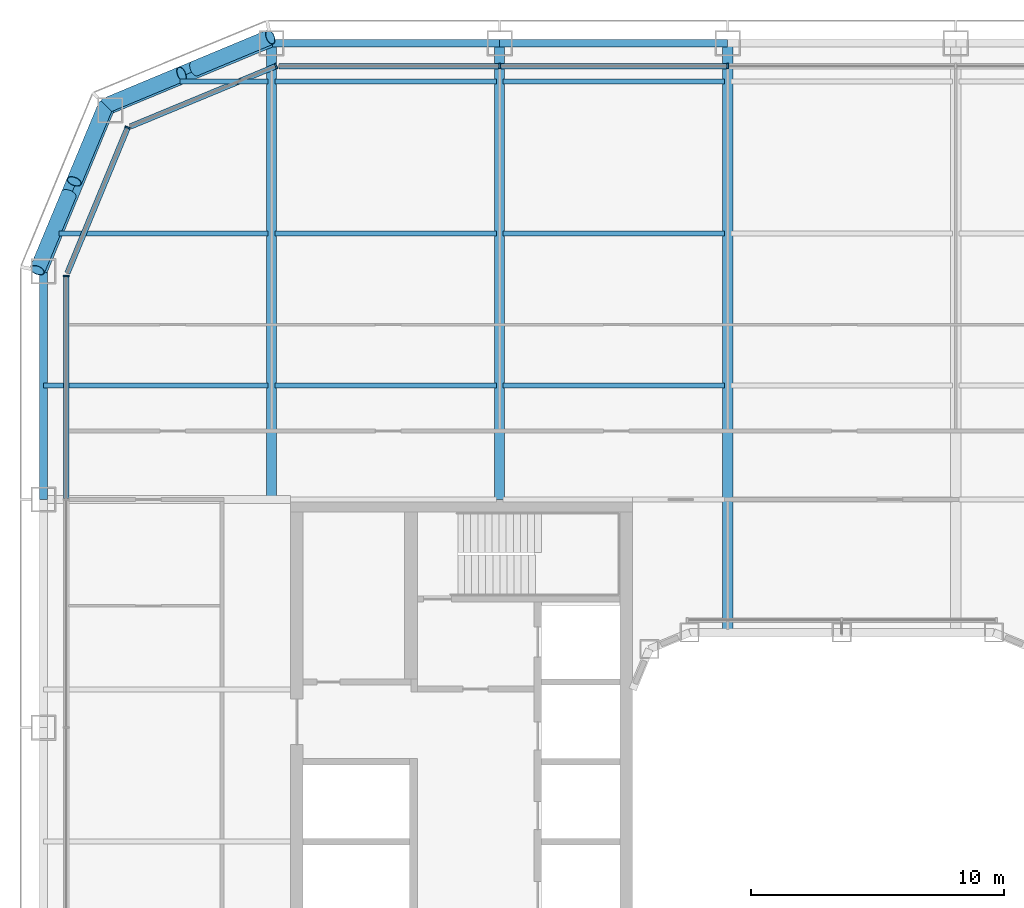
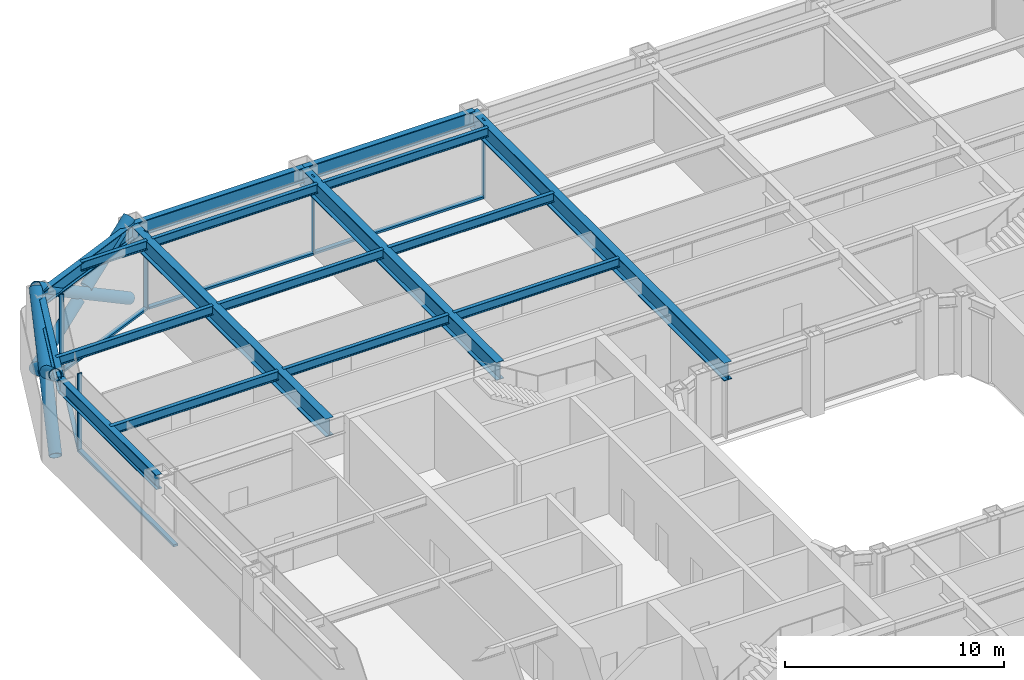
# One storey, part 7 of 24: 17 beams, 16 members, 4 elements without a shape of their own.
"""IFC4 building model written with IfcOpenShell, lengths in metres."""

from ifc_helpers import new_model, si_unit, direction, frame, origin, origin_2d, place, context, subcontext, project, spatial, rectangle, hollow_circle, i_section, extrude, material, layer, layer_set, material_profile, profile_set, type_object, element, aggregate, save


model = new_model("IFC4")

# Units and contexts
model_context = context("Model", 3, precision=1e-05, world=origin(), true_north=direction((0.0, 1.0)))
body_context = subcontext(model_context, "Body", "Model", "MODEL_VIEW")
ifc_project = project(units=[si_unit("LENGTHUNIT", "METRE"), si_unit("AREAUNIT", "SQUARE_METRE"), si_unit("VOLUMEUNIT", "CUBIC_METRE"), si_unit("PLANEANGLEUNIT", "RADIAN"), si_unit("MASSUNIT", "GRAM", prefix="KILO")], contexts=[model_context])

# Site, building, storey
site_placement = place(None, origin())
site = spatial("IfcSite", under=ifc_project, at=site_placement, CompositionType="ELEMENT")
building_placement = place(site_placement, origin())
building = spatial("IfcBuilding", under=site, at=building_placement, Name="Siwar Civic Tower", CompositionType="ELEMENT")
storey_placement = place(building_placement, frame((0.0, 0.0, 76.199951171875)))
storey = spatial("IfcBuildingStorey", under=building, at=storey_placement, Name="L16", CompositionType="ELEMENT", Elevation=76.199951171875)

# Curtain wall, members
ifc_material_1 = material(Name="Aluminium and glass", Category="aluminium")
ifc_layer_1 = layer(ifc_material_1, 0.219970703125)
ifc_layer_set_1 = layer_set([ifc_layer_1], Name="Aluminium and glass")
curtain_wall_type_1 = type_object("IfcCurtainWallType", Name="ENV-CW-A", PredefinedType="NOTDEFINED", material=ifc_layer_set_1)
curtain_wall_1_placement = place(storey_placement, origin())
curtain_wall_1 = element("IfcCurtainWall", 1, at=curtain_wall_1_placement, inside=storey, type_object=curtain_wall_type_1, Name="Curtain wall A N", PredefinedType="NOTDEFINED")
ifc_material_2 = material(Name="Aluminium 6063-T6", Category="aluminium")
ifc_material_profile_1 = material_profile(ifc_material_2, rectangle(XDim=0.219970703125, YDim=0.070068359375, at=origin_2d()), Name="AL 220x70")
ifc_profile_set_1 = profile_set([ifc_material_profile_1], Name="Aluminium 6063-T6")
member_type_1 = type_object("IfcMemberType", Name="ENV-MULLION-A", PredefinedType="MULLION", material=ifc_profile_set_1)
member_1_placement = place(storey_placement, frame((-4.5, 30.60009765625, 0.0), z_axis=(0.0, 0.0, 1.0), x_axis=(0.0, -1.0, 0.0)))
member_1 = element("IfcMember", 2, at=member_1_placement, type_object=member_type_1, Name="Mullion A N 4", PredefinedType="MULLION", context=body_context, shape_type="SweptSolid", body=[
    extrude(rectangle(XDim=0.219970703125, YDim=0.070068359375, at=origin_2d()), origin(), (0.0, 0.0, 1.0), 4.35009765625),
])
member_2_placement = place(storey_placement, frame((-13.5, 30.60009765625, 0.0), z_axis=(0.0, 0.0, 1.0), x_axis=(0.0, -1.0, 0.0)))
member_2 = element("IfcMember", 3, at=member_2_placement, type_object=member_type_1, Name="Mullion A N 5", PredefinedType="MULLION", context=body_context, shape_type="SweptSolid", body=[
    extrude(rectangle(XDim=0.219970703125, YDim=0.070068359375, at=origin_2d()), origin(), (0.0, 0.0, 1.0), 4.35009765625),
])

# Curtain wall, member
ifc_material_3 = material(Name="Aluminium clad insulated panel", Category="aluminium")
ifc_layer_2 = layer(ifc_material_3, 0.219970703125)
ifc_layer_set_2 = layer_set([ifc_layer_2], Name="Aluminium clad insulated panel")
curtain_wall_type_2 = type_object("IfcCurtainWallType", Name="ENV-CW-AX", PredefinedType="NOTDEFINED", material=ifc_layer_set_2)
curtain_wall_2_placement = place(storey_placement, origin())
curtain_wall_2 = element("IfcCurtainWall", 4, at=curtain_wall_2_placement, inside=storey, type_object=curtain_wall_type_2, Name="Curtain wall A NW1", PredefinedType="NOTDEFINED")
member_3_placement = place(storey_placement, frame((-22.321044921875, 30.60009765625, 0.0), z_axis=(0.0, 0.0, 1.0), x_axis=(0.382683432365, -0.923879532511, 0.0)))
member_3 = element("IfcMember", 5, at=member_3_placement, type_object=member_type_1, Name="Mullion A NW1 1", PredefinedType="MULLION", context=body_context, shape_type="SweptSolid", body=[
    extrude(rectangle(XDim=0.219970703125, YDim=0.070068359375, at=origin_2d()), origin(), (0.0, 0.0, 1.0), 4.35009765625),
])

curtain_wall_3_placement = place(storey_placement, origin())
curtain_wall_3 = element("IfcCurtainWall", 6, at=curtain_wall_3_placement, inside=storey, type_object=curtain_wall_type_2, Name="Curtain wall A NW2", PredefinedType="NOTDEFINED")
member_4_placement = place(storey_placement, frame((-28.175048828125, 28.175048828125, 0.0), z_axis=(0.0, 0.0, 1.0), x_axis=(0.923879532511, -0.382683432365, 0.0)))
member_4 = element("IfcMember", 7, at=member_4_placement, type_object=member_type_1, Name="Mullion A NW2 1", PredefinedType="MULLION", context=body_context, shape_type="SweptSolid", body=[
    extrude(rectangle(XDim=0.219970703125, YDim=0.070068359375, at=origin_2d()), origin(), (0.0, 0.0, 1.0), 4.35009765625),
])

curtain_wall_4_placement = place(storey_placement, origin())
curtain_wall_4 = element("IfcCurtainWall", 8, at=curtain_wall_4_placement, inside=storey, type_object=curtain_wall_type_1, Name="Curtain wall A W", PredefinedType="NOTDEFINED")
member_5_placement = place(storey_placement, frame((-30.60009765625, 22.321044921875, 0.0), z_axis=(0.0, 0.0, 1.0), x_axis=(1.0, 0.0, 0.0)))
member_5 = element("IfcMember", 9, at=member_5_placement, type_object=member_type_1, Name="Mullion A W 1", PredefinedType="MULLION", context=body_context, shape_type="SweptSolid", body=[
    extrude(rectangle(XDim=0.219970703125, YDim=0.070068359375, at=origin_2d()), origin(), (0.0, 0.0, 1.0), 4.35009765625),
])

# Member
ifc_material_4 = material(Name="Aluminium 6063-T6", Category="aluminium")
ifc_material_profile_2 = material_profile(ifc_material_4, rectangle(XDim=0.219970703125, YDim=0.1201171875, at=origin_2d()), Name="AL 220x120")
ifc_profile_set_2 = profile_set([ifc_material_profile_2], Name="Aluminium 6063-T6")
member_type_2 = type_object("IfcMemberType", Name="ENV-TRANSOM-A", PredefinedType="USERDEFINED", material=ifc_profile_set_2)
member_6_placement = place(storey_placement, frame((-4.534912109375, 30.60009765625, 0.06005859375), z_axis=(-1.0, 0.0, 0.0), x_axis=(0.0, -1.0, 0.0)))
member_6 = element("IfcMember", 10, at=member_6_placement, type_object=member_type_2, Name="Transom A N 4", ObjectType="TRANSOM", PredefinedType="USERDEFINED", context=body_context, shape_type="SweptSolid", body=[
    extrude(rectangle(XDim=0.219970703125, YDim=0.1201171875, at=origin_2d()), origin(), (0.0, 0.0, 1.0), 8.93017578125),
])

member_7_placement = place(storey_placement, frame((-13.534912109375, 30.60009765625, 0.06005859375), z_axis=(-1.0, 0.0, 0.0), x_axis=(0.0, -1.0, 0.0)))
member_7 = element("IfcMember", 11, at=member_7_placement, type_object=member_type_2, Name="Transom A N 5", ObjectType="TRANSOM", PredefinedType="USERDEFINED", context=body_context, shape_type="SweptSolid", body=[
    extrude(rectangle(XDim=0.219970703125, YDim=0.1201171875, at=origin_2d()), origin(), (0.0, 0.0, 1.0), 8.66357421875),
])

aggregate(curtain_wall_1, [member_1, member_2, member_6, member_7])

member_8_placement = place(storey_placement, frame((-22.353271484375, 30.586669921875, 0.06005859375), z_axis=(-0.923873326341, -0.382698415042, 0.0), x_axis=(0.382698415042, -0.923873326341, 0.0)))
member_8 = element("IfcMember", 12, at=member_8_placement, type_object=member_type_2, Name="Transom A NW1 1", ObjectType="TRANSOM", PredefinedType="USERDEFINED", context=body_context, shape_type="SweptSolid", body=[
    extrude(rectangle(XDim=0.219970703125, YDim=0.1201171875, at=origin_2d()), origin(), (0.0, 0.0, 1.0), 6.17919921875),
])

aggregate(curtain_wall_2, [member_3, member_8])

member_9_placement = place(storey_placement, frame((-28.1884765625, 28.142822265625, 0.06005859375), z_axis=(-0.382698415042, -0.923873326341, 0.0), x_axis=(0.923873326341, -0.382698415042, 0.0)))
member_9 = element("IfcMember", 13, at=member_9_placement, type_object=member_type_2, Name="Transom A NW2 1", ObjectType="TRANSOM", PredefinedType="USERDEFINED", context=body_context, shape_type="SweptSolid", body=[
    extrude(rectangle(XDim=0.219970703125, YDim=0.1201171875, at=origin_2d()), origin(), (0.0, 0.0, 1.0), 6.17919921875),
])

aggregate(curtain_wall_3, [member_4, member_9])

member_10_placement = place(storey_placement, frame((-30.60009765625, 22.285888671875, 0.06005859375), z_axis=(0.0, -1.0, 0.0), x_axis=(1.0, 0.0, 0.0)))
member_10 = element("IfcMember", 14, at=member_10_placement, type_object=member_type_2, Name="Transom A W 1", ObjectType="TRANSOM", PredefinedType="USERDEFINED", context=body_context, shape_type="SweptSolid", body=[
    extrude(rectangle(XDim=0.219970703125, YDim=0.1201171875, at=origin_2d()), origin(), (0.0, 0.0, 1.0), 8.7509765625),
])

aggregate(curtain_wall_4, [member_5, member_10])

# Members
ifc_material_5 = material(Name="Steel S355", Category="steel")
ifc_material_profile_3 = material_profile(ifc_material_5, hollow_circle(Radius=0.304931640625, WallThickness=0.030029296875, at=origin_2d()), Name="CHS610x30")
ifc_profile_set_3 = profile_set([ifc_material_profile_3], Name="Steel S355")
member_type_3 = type_object("IfcMemberType", Name="STR-BR-CHS610x30", PredefinedType="BRACE", material=ifc_profile_set_3)
member_11_placement = place(storey_placement, frame((-31.7451171875, 22.548828125, 0.0), z_axis=(0.323905527954, 0.777554562952, 0.538975055633), x_axis=(-0.923108759191, 0.384538969033, 0.0)))
element("IfcMember", 15, at=member_11_placement, inside=storey, type_object=member_type_3, Name="L16/brc/ANW1-15-0-1", PredefinedType="BRACE", context=body_context, shape_type="SweptSolid", body=[
    extrude(hollow_circle(Radius=0.304931640625, WallThickness=0.030029296875, at=origin_2d()), origin(), (0.0, 0.0, 1.0), 8.34912109375),
])
member_12_placement = place(storey_placement, frame((-29.040771484375, 29.040771484375, 0.0), z_axis=(-0.323922979564, -0.777542179573, 0.53898243227), x_axis=(0.923099230484, -0.384561842466, 0.0)))
element("IfcMember", 16, at=member_12_placement, inside=storey, type_object=member_type_3, Name="L16/brc/ANW1-15-0-2", PredefinedType="BRACE", context=body_context, shape_type="SweptSolid", body=[
    extrude(hollow_circle(Radius=0.304931640625, WallThickness=0.030029296875, at=origin_2d()), origin(), (0.0, 0.0, 1.0), 3.84375),
])
member_13_placement = place(storey_placement, frame((-30.500244140625, 25.537353515625, 2.428466796875), z_axis=(-0.3238932121, -0.777559680196, 0.53897507446), x_axis=(0.923114847559, -0.384524353215, 0.0)))
element("IfcMember", 17, at=member_13_placement, inside=storey, type_object=member_type_3, Name="L16/brc/ANW1-15-0-3", PredefinedType="BRACE", context=body_context, shape_type="SweptSolid", body=[
    extrude(hollow_circle(Radius=0.304931640625, WallThickness=0.030029296875, at=origin_2d()), origin(), (0.0, 0.0, 1.0), 3.843505859375),
])
member_14_placement = place(storey_placement, frame((-22.548828125, 31.7451171875, 0.0), z_axis=(-0.777554562952, -0.323905527954, 0.538975055633), x_axis=(0.384538969033, -0.923108759191, 0.0)))
element("IfcMember", 18, at=member_14_placement, inside=storey, type_object=member_type_3, Name="L16/brc/ANW1-15-0-0", PredefinedType="BRACE", context=body_context, shape_type="SweptSolid", body=[
    extrude(hollow_circle(Radius=0.304931640625, WallThickness=0.030029296875, at=origin_2d()), origin(), (0.0, 0.0, 1.0), 8.34912109375),
])
member_15_placement = place(storey_placement, frame((-29.040771484375, 29.040771484375, 0.0), z_axis=(0.777542179573, 0.323922979564, 0.53898243227), x_axis=(-0.384561842466, 0.923099230484, 0.0)))
element("IfcMember", 19, at=member_15_placement, inside=storey, type_object=member_type_3, Name="L16/brc/ANW1-15-0-4", PredefinedType="BRACE", context=body_context, shape_type="SweptSolid", body=[
    extrude(hollow_circle(Radius=0.304931640625, WallThickness=0.030029296875, at=origin_2d()), origin(), (0.0, 0.0, 1.0), 3.84375),
])
member_16_placement = place(storey_placement, frame((-25.537353515625, 30.500244140625, 2.428466796875), z_axis=(0.777559680196, 0.3238932121, 0.53897507446), x_axis=(-0.384524353215, 0.923114847559, 0.0)))
element("IfcMember", 20, at=member_16_placement, inside=storey, type_object=member_type_3, Name="L16/brc/ANW1-15-0-5", PredefinedType="BRACE", context=body_context, shape_type="SweptSolid", body=[
    extrude(hollow_circle(Radius=0.304931640625, WallThickness=0.030029296875, at=origin_2d()), origin(), (0.0, 0.0, 1.0), 3.843505859375),
])

# Beams
ifc_material_6 = material(Name="Steel S355", Category="steel")
ifc_material_profile_4 = material_profile(ifc_material_6, i_section(OverallWidth=0.199951171875, OverallDepth=0.5, WebThickness=0.01025390625, FlangeThickness=0.01611328125, FilletRadius=0.02099609375, at=origin_2d()), Name="IPE500")
ifc_profile_set_4 = profile_set([ifc_material_profile_4], Name="Steel S355")
beam_type_1 = type_object("IfcBeamType", Name="STR-FB-IPE500", PredefinedType="JOIST", material=ifc_profile_set_4)
beam_1_placement = place(storey_placement, frame((-31.5, 18.0, 4.10009765625), z_axis=(1.0, 0.0, 0.0), x_axis=(0.0, 1.0, 0.0)))
element("IfcBeam", 21, at=beam_1_placement, inside=storey, type_object=beam_type_1, Name="L16/bm/F046", PredefinedType="JOIST", context=body_context, shape_type="SweptSolid", body=[
    extrude(i_section(OverallWidth=0.199951171875, OverallDepth=0.5, WebThickness=0.01025390625, FlangeThickness=0.01611328125, FilletRadius=0.02099609375, at=origin_2d()), origin(), (0.0, 0.0, 1.0), 8.8701171875),
])
for number, where, z_axis, x_axis, name in (
    (22, (-22.3701171875, 18.0, 4.10009765625), (1.0, 0.0, 0.0), (0.0, 1.0, 0.0), "L16/bm/F047"),
    (23, (-13.3701171875, 18.0, 4.10009765625), (1.0, 0.0, 0.0), (0.0, 1.0, 0.0), "L16/bm/F048"),
):
    element("IfcBeam", number, at=place(storey_placement, frame(where, z_axis=z_axis, x_axis=x_axis)), inside=storey, type_object=beam_type_1, Name=name, PredefinedType="JOIST", context=body_context, shape_type="SweptSolid", body=[
        extrude(i_section(OverallWidth=0.199951171875, OverallDepth=0.5, WebThickness=0.01025390625, FlangeThickness=0.01611328125, FilletRadius=0.02099609375, at=origin_2d()), origin(), (0.0, 0.0, 1.0), 8.740234375),
    ])
beam_2_placement = place(storey_placement, frame((-30.878662109375, 24.0, 4.10009765625), z_axis=(1.0, 0.0, 0.0), x_axis=(0.0, 1.0, 0.0)))
element("IfcBeam", 24, at=beam_2_placement, inside=storey, type_object=beam_type_1, Name="L16/bm/F053", PredefinedType="JOIST", context=body_context, shape_type="SweptSolid", body=[
    extrude(i_section(OverallWidth=0.199951171875, OverallDepth=0.5, WebThickness=0.01025390625, FlangeThickness=0.01611328125, FilletRadius=0.02099609375, at=origin_2d()), origin(), (0.0, 0.0, 1.0), 8.248779296875),
])
for number, where, z_axis, x_axis, name in (
    (25, (-22.3701171875, 24.0, 4.10009765625), (1.0, 0.0, 0.0), (0.0, 1.0, 0.0), "L16/bm/F054"),
    (26, (-13.3701171875, 24.0, 4.10009765625), (1.0, 0.0, 0.0), (0.0, 1.0, 0.0), "L16/bm/F055"),
):
    element("IfcBeam", number, at=place(storey_placement, frame(where, z_axis=z_axis, x_axis=x_axis)), inside=storey, type_object=beam_type_1, Name=name, PredefinedType="JOIST", context=body_context, shape_type="SweptSolid", body=[
        extrude(i_section(OverallWidth=0.199951171875, OverallDepth=0.5, WebThickness=0.01025390625, FlangeThickness=0.01611328125, FilletRadius=0.02099609375, at=origin_2d()), origin(), (0.0, 0.0, 1.0), 8.740234375),
    ])
beam_3_placement = place(storey_placement, frame((-26.121337890625, 30.0, 4.10009765625), z_axis=(1.0, 0.0, 0.0), x_axis=(0.0, 1.0, 0.0)))
element("IfcBeam", 27, at=beam_3_placement, inside=storey, type_object=beam_type_1, Name="L16/bm/F060", PredefinedType="JOIST", context=body_context, shape_type="SweptSolid", body=[
    extrude(i_section(OverallWidth=0.199951171875, OverallDepth=0.5, WebThickness=0.01025390625, FlangeThickness=0.01611328125, FilletRadius=0.02099609375, at=origin_2d()), origin(), (0.0, 0.0, 1.0), 3.491455078125),
])
for number, where, z_axis, x_axis, name in (
    (28, (-22.3701171875, 30.0, 4.10009765625), (1.0, 0.0, 0.0), (0.0, 1.0, 0.0), "L16/bm/F061"),
    (29, (-13.3701171875, 30.0, 4.10009765625), (1.0, 0.0, 0.0), (0.0, 1.0, 0.0), "L16/bm/F062"),
):
    element("IfcBeam", number, at=place(storey_placement, frame(where, z_axis=z_axis, x_axis=x_axis)), inside=storey, type_object=beam_type_1, Name=name, PredefinedType="JOIST", context=body_context, shape_type="SweptSolid", body=[
        extrude(i_section(OverallWidth=0.199951171875, OverallDepth=0.5, WebThickness=0.01025390625, FlangeThickness=0.01611328125, FilletRadius=0.02099609375, at=origin_2d()), origin(), (0.0, 0.0, 1.0), 8.740234375),
    ])
ifc_material_7 = material(Name="Steel S355", Category="steel")
ifc_material_profile_5 = material_profile(ifc_material_7, i_section(OverallWidth=0.39990234375, OverallDepth=1.0, WebThickness=0.01611328125, FlangeThickness=0.0400390625, at=origin_2d()), Name="PG1000x400x16x40")
ifc_profile_set_5 = profile_set([ifc_material_profile_5], Name="Steel S355")
beam_type_2 = type_object("IfcBeamType", Name="STR-PG-PG1000x400x16x40", PredefinedType="BEAM", material=ifc_profile_set_5)
for number, where, z_axis, x_axis, name in (
    (30, (-22.5, 13.5, 3.85009765625), (0.0, 1.0, 0.0), (-1.0, 0.0, 0.0), "L16/bm/G02"),
    (31, (-13.5, 13.5, 3.85009765625), (0.0, 1.0, 0.0), (-1.0, 0.0, 0.0), "L16/bm/G04"),
):
    element("IfcBeam", number, at=place(storey_placement, frame(where, z_axis=z_axis, x_axis=x_axis)), inside=storey, type_object=beam_type_2, Name=name, PredefinedType="BEAM", context=body_context, shape_type="SweptSolid", body=[
        extrude(i_section(OverallWidth=0.39990234375, OverallDepth=1.0, WebThickness=0.01611328125, FlangeThickness=0.0400390625, at=origin_2d()), origin(), (0.0, 0.0, 1.0), 18.0),
    ])
beam_4_placement = place(storey_placement, frame((-4.5, 8.25, 3.85009765625), z_axis=(0.0, 1.0, 0.0), x_axis=(-1.0, 0.0, 0.0)))
element("IfcBeam", 32, at=beam_4_placement, inside=storey, type_object=beam_type_2, Name="L16/bm/G06", PredefinedType="BEAM", context=body_context, shape_type="SweptSolid", body=[
    extrude(i_section(OverallWidth=0.39990234375, OverallDepth=1.0, WebThickness=0.01611328125, FlangeThickness=0.0400390625, at=origin_2d()), origin(), (0.0, 0.0, 1.0), 23.25),
])
ifc_material_8 = material(Name="Steel S355", Category="steel")
ifc_material_profile_6 = material_profile(ifc_material_8, i_section(OverallWidth=0.302978515625, OverallDepth=0.81396484375, WebThickness=0.02099609375, FlangeThickness=0.0400390625, FilletRadius=0.030029296875, at=origin_2d()), Name="HEM800")
ifc_profile_set_6 = profile_set([ifc_material_profile_6], Name="Steel S355")
beam_type_3 = type_object("IfcBeamType", Name="STR-SB-HEM800", PredefinedType="BEAM", material=ifc_profile_set_6)
for number, where, z_axis, x_axis, name in (
    (33, (-4.5, 31.5, 3.943115234375), (-1.0, 0.0, 0.0), (0.0, -1.0, 0.0), "L16/bm/SN-3"),
    (34, (-13.5, 31.5, 3.943115234375), (-1.0, 0.0, 0.0), (0.0, -1.0, 0.0), "L16/bm/SN-4"),
):
    element("IfcBeam", number, at=place(storey_placement, frame(where, z_axis=z_axis, x_axis=x_axis)), inside=storey, type_object=beam_type_3, Name=name, PredefinedType="BEAM", context=body_context, shape_type="SweptSolid", body=[
        extrude(i_section(OverallWidth=0.302978515625, OverallDepth=0.81396484375, WebThickness=0.02099609375, FlangeThickness=0.0400390625, FilletRadius=0.030029296875, at=origin_2d()), origin(), (0.0, 0.0, 1.0), 9.0),
    ])
for number, where, z_axis, x_axis, name in (
    (35, (-22.5, 31.5, 3.943115234375), (-0.923883353507, -0.382674207535, 0.0), (0.382674207535, -0.923883353507, 0.0), "L16/bm/SNW1-0"),
    (36, (-28.864013671875, 28.864013671875, 3.943115234375), (-0.382674207535, -0.923883353507, 0.0), (0.923883353507, -0.382674207535, 0.0), "L16/bm/SNW2-0"),
):
    element("IfcBeam", number, at=place(storey_placement, frame(where, z_axis=z_axis, x_axis=x_axis)), inside=storey, type_object=beam_type_3, Name=name, PredefinedType="BEAM", context=body_context, shape_type="SweptSolid", body=[
        extrude(i_section(OverallWidth=0.302978515625, OverallDepth=0.81396484375, WebThickness=0.02099609375, FlangeThickness=0.0400390625, FilletRadius=0.030029296875, at=origin_2d()), origin(), (0.0, 0.0, 1.0), 6.888427734375),
    ])
beam_5_placement = place(storey_placement, frame((-31.5, 22.5, 3.943115234375), z_axis=(0.0, -1.0, 0.0), x_axis=(1.0, 0.0, 0.0)))
element("IfcBeam", 37, at=beam_5_placement, inside=storey, type_object=beam_type_3, Name="L16/bm/SW-0", PredefinedType="BEAM", context=body_context, shape_type="SweptSolid", body=[
    extrude(i_section(OverallWidth=0.302978515625, OverallDepth=0.81396484375, WebThickness=0.02099609375, FlangeThickness=0.0400390625, FilletRadius=0.030029296875, at=origin_2d()), origin(), (0.0, 0.0, 1.0), 9.0),
])

save(model, "model.ifc")
